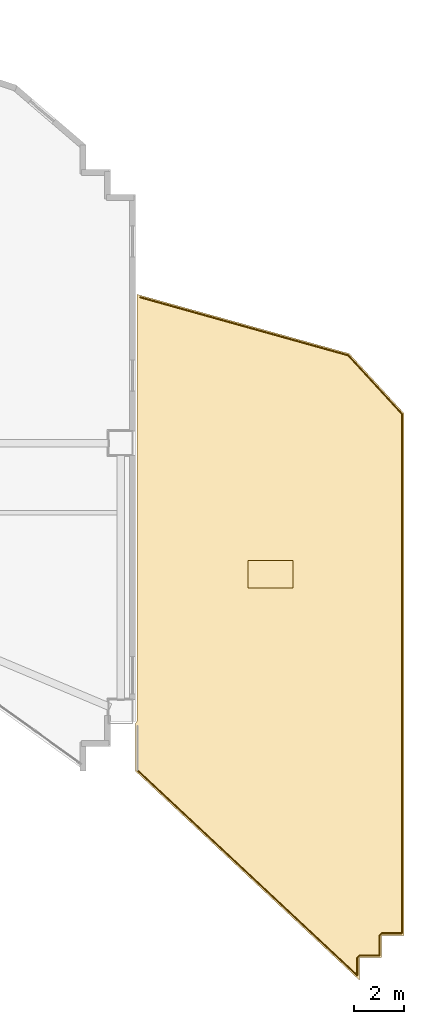
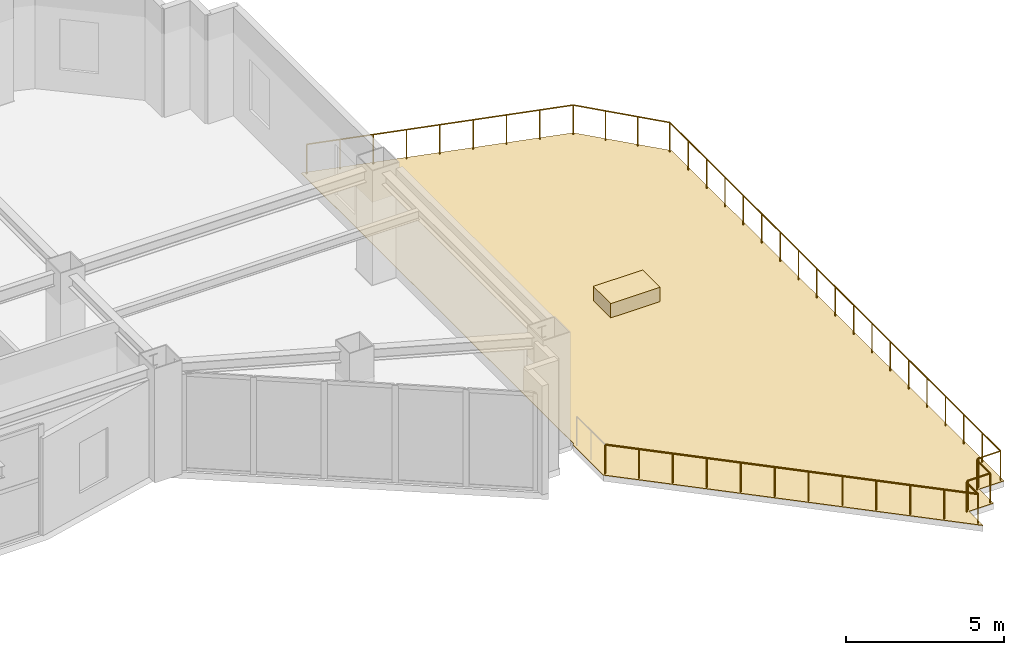
# One storey, part 19 of 19: 2 coverings, 1 railing.
"""IFC4 building model written with IfcOpenShell, lengths in metres."""

from ifc_helpers import new_model, si_unit, direction, frame, origin, origin_2d, place, context, subcontext, project, spatial, polyline, rectangle, circle, outline, extrude, material, layer, layer_set, type_object, element, save


model = new_model("IFC4")

# Units and contexts
model_context = context("Model", 3, precision=1e-05, world=origin(), true_north=direction((0.0, 1.0)))
body_context = subcontext(model_context, "Body", "Model", "MODEL_VIEW")
ifc_project = project(units=[si_unit("LENGTHUNIT", "METRE"), si_unit("AREAUNIT", "SQUARE_METRE"), si_unit("VOLUMEUNIT", "CUBIC_METRE"), si_unit("PLANEANGLEUNIT", "RADIAN"), si_unit("MASSUNIT", "GRAM", prefix="KILO")], contexts=[model_context])

# Site, building, storey
site_placement = place(None, origin())
site = spatial("IfcSite", under=ifc_project, at=site_placement, CompositionType="ELEMENT")
building_placement = place(site_placement, origin())
building = spatial("IfcBuilding", under=site, at=building_placement, Name="Haolan Belvedere Tower", CompositionType="ELEMENT")
storey_placement = place(building_placement, frame((0.0, 0.0, 94.0)))
storey = spatial("IfcBuildingStorey", under=building, at=storey_placement, Name="L23", CompositionType="ELEMENT", Elevation=94.0)

# Coverings
ifc_material_1 = material(Name="Engineered lightweight planted garden soil substrate", Category="masonry")
ifc_layer_1 = layer(ifc_material_1, 0.550048828125, Name="Engineered lightweight planted garden soil substrate")
ifc_layer_set_1 = layer_set([ifc_layer_1], Name="Engineered lightweight planted garden soil substrate")
covering_type_1 = type_object("IfcCoveringType", Name="COV-PLANT-550", PredefinedType="MEMBRANE", material=ifc_layer_set_1)
covering_1_placement = place(storey_placement, frame((70.22509765625, 22.327880859375, 0.0), z_axis=(0.0, 0.0, 1.0), x_axis=(1.0, 0.0, 0.0)))
element("IfcCovering", 1, at=covering_1_placement, inside=storey, type_object=covering_type_1, Name="L23 cascade garden terrace PLANTER bed 2", PredefinedType="MEMBRANE", context=body_context, shape_type="SweptSolid", body=[
    extrude(rectangle(XDim=1.800048828125, YDim=1.10009765625, at=origin_2d()), origin(), (0.0, 0.0, 1.0), 0.550048828125),
])
ifc_material_2 = material(Name="Elastomeric waterproof roofing membrane and stone pavers", Category="masonry")
ifc_layer_2 = layer(ifc_material_2, 0.02001953125, Name="Elastomeric waterproof roofing membrane and stone pavers")
ifc_layer_set_2 = layer_set([ifc_layer_2], Name="Elastomeric waterproof roofing membrane and stone pavers")
covering_type_2 = type_object("IfcCoveringType", Name="COV-ROOF-20", PredefinedType="ROOFING", material=ifc_layer_set_2)
covering_2_placement = place(storey_placement, frame((0.0, 0.0, -0.02001953125)))
element("IfcCovering", 2, at=covering_2_placement, inside=storey, type_object=covering_type_2, Name="L23 garden terrace waterproof roofing paver 2", PredefinedType="ROOFING", context=body_context, shape_type="SweptSolid", body=[
    extrude(outline(polyline([(64.800048828125, 14.39990234375), (73.800048828125, 6.0), (73.800048828125, 6.896240234375), (73.80029296875, 6.89990234375), (73.8037109375, 6.89990234375), (74.699951171875, 6.89990234375), (74.699951171875, 7.79638671875), (74.7001953125, 7.7998046875), (74.70361328125, 7.800048828125), (75.60009765625, 7.800048828125), (75.60009765625, 28.800048828125), (73.39990234375, 31.199951171875), (64.85009765625, 33.5859375), (64.85009765625, 16.40185546875), (64.849853515625, 16.398681640625), (64.849365234375, 16.392578125), (64.848388671875, 16.387939453125), (64.846923828125, 16.38330078125), (64.84521484375, 16.378662109375), (64.8427734375, 16.37451171875), (64.840087890625, 16.370361328125), (64.800048828125, 16.321533203125), (64.800048828125, 14.39990234375)])), origin(), (0.0, 0.0, 1.0), 0.02001953125),
])

# Railing
ifc_material_3 = material(Name="Anodised aluminium and laminated glass balustrade", Category="aluminium")
railing_type = type_object("IfcRailingType", Name="RL-TER-BAL-1150", PredefinedType="BALUSTRADE", material=ifc_material_3)
railing_placement = place(storey_placement, frame((64.97998046875, 33.466796875, 0.0)))
element("IfcRailing", 3, at=railing_placement, inside=storey, type_object=railing_type, Name="L23 outdoor perimeter balustrade TERR-L23-2-2", PredefinedType="BALUSTRADE", context=body_context, shape_type="SweptSolid", body=[
    extrude(circle(Radius=0.02392578125, at=origin_2d()), frame((0.0, 0.0, 1.1259765625), z_axis=(0.963195456171, -0.268801996294, 0.0), x_axis=(0.268801996294, 0.963195456171, 0.0)), (0.0, 0.0, 1.0), 8.696533203125),
    extrude(circle(Radius=0.02392578125, at=origin_2d()), frame((8.37646484375, -2.337646484375, 1.1259765625), z_axis=(0.675710817419, -0.737166800136, 0.0), x_axis=(0.737166800136, 0.675710817419, 0.0)), (0.0, 0.0, 1.0), 3.201904296875),
    extrude(circle(Radius=0.02392578125, at=origin_2d()), frame((10.5400390625, -4.697998046875, 1.1259765625), z_axis=(0.0, -1.0, 0.0), x_axis=(1.0, 0.0, 0.0)), (0.0, 0.0, 1.0), 20.888916015625),
    extrude(circle(Radius=0.02392578125, at=origin_2d()), frame((10.5400390625, -25.5869140625, 1.1259765625), z_axis=(-1.0, 0.0, 0.0), x_axis=(0.0, -1.0, 0.0)), (0.0, 0.0, 1.0), 0.818603515625),
    extrude(circle(Radius=0.02392578125, at=origin_2d()), frame((9.721435546875, -25.5869140625, 1.1259765625), z_axis=(-0.707106781187, -0.707106781187, 0.0), x_axis=(0.707106781187, -0.707106781187, 0.0)), (0.0, 0.0, 1.0), 0.114990234375),
    extrude(circle(Radius=0.02392578125, at=origin_2d()), frame((9.64013671875, -25.668212890625, 1.1259765625), z_axis=(0.0, -1.0, 0.0), x_axis=(1.0, 0.0, 0.0)), (0.0, 0.0, 1.0), 0.818603515625),
    extrude(circle(Radius=0.02392578125, at=origin_2d()), frame((9.64013671875, -26.48681640625, 1.1259765625), z_axis=(-1.0, 0.0, 0.0), x_axis=(0.0, -1.0, 0.0)), (0.0, 0.0, 1.0), 0.818603515625),
    extrude(circle(Radius=0.02392578125, at=origin_2d()), frame((8.821533203125, -26.48681640625, 1.1259765625), z_axis=(-0.708166115403, -0.706045857572, 0.0), x_axis=(0.706045857572, -0.708166115403, 0.0)), (0.0, 0.0, 1.0), 0.115234375),
    extrude(circle(Radius=0.02392578125, at=origin_2d()), frame((8.739990234375, -26.568115234375, 1.1259765625), z_axis=(0.0, -1.0, 0.0), x_axis=(1.0, 0.0, 0.0)), (0.0, 0.0, 1.0), 0.714599609375),
    extrude(circle(Radius=0.02392578125, at=origin_2d()), frame((8.739990234375, -27.28271484375, 1.1259765625), z_axis=(-0.73105593964, 0.682317531005, 0.0), x_axis=(-0.682317531005, -0.73105593964, 0.0)), (0.0, 0.0, 1.0), 12.09228515625),
    extrude(circle(Radius=0.02099609375, at=origin_2d()), origin(), (0.0, 0.0, 1.0), 1.101806640625),
    extrude(circle(Radius=0.02099609375, at=origin_2d()), frame((1.047119140625, -0.292236328125, 0.0)), (0.0, 0.0, 1.0), 1.101806640625),
    extrude(circle(Radius=0.02099609375, at=origin_2d()), frame((2.09423828125, -0.58447265625, 0.0)), (0.0, 0.0, 1.0), 1.101806640625),
    extrude(circle(Radius=0.02099609375, at=origin_2d()), frame((3.14111328125, -0.876708984375, 0.0)), (0.0, 0.0, 1.0), 1.101806640625),
    extrude(circle(Radius=0.02099609375, at=origin_2d()), frame((4.188232421875, -1.1689453125, 0.0)), (0.0, 0.0, 1.0), 1.101806640625),
    extrude(circle(Radius=0.02099609375, at=origin_2d()), frame((5.2353515625, -1.4609375, 0.0)), (0.0, 0.0, 1.0), 1.101806640625),
    extrude(circle(Radius=0.02099609375, at=origin_2d()), frame((6.2822265625, -1.753173828125, 0.0)), (0.0, 0.0, 1.0), 1.101806640625),
    extrude(circle(Radius=0.02099609375, at=origin_2d()), frame((7.329345703125, -2.04541015625, 0.0)), (0.0, 0.0, 1.0), 1.101806640625),
    extrude(circle(Radius=0.02099609375, at=origin_2d()), frame((8.37646484375, -2.337646484375, 0.0)), (0.0, 0.0, 1.0), 1.101806640625),
    extrude(circle(Radius=0.02099609375, at=origin_2d()), frame((9.09765625, -3.12451171875, 0.0)), (0.0, 0.0, 1.0), 1.101806640625),
    extrude(circle(Radius=0.02099609375, at=origin_2d()), frame((9.81884765625, -3.9111328125, 0.0)), (0.0, 0.0, 1.0), 1.101806640625),
    extrude(circle(Radius=0.02099609375, at=origin_2d()), frame((10.5400390625, -4.697998046875, 0.0)), (0.0, 0.0, 1.0), 1.101806640625),
    extrude(circle(Radius=0.02099609375, at=origin_2d()), frame((10.5400390625, -5.8583984375, 0.0)), (0.0, 0.0, 1.0), 1.101806640625),
    extrude(circle(Radius=0.02099609375, at=origin_2d()), frame((10.5400390625, -7.01904296875, 0.0)), (0.0, 0.0, 1.0), 1.101806640625),
    extrude(circle(Radius=0.02099609375, at=origin_2d()), frame((10.5400390625, -8.179443359375, 0.0)), (0.0, 0.0, 1.0), 1.101806640625),
    extrude(circle(Radius=0.02099609375, at=origin_2d()), frame((10.5400390625, -9.340087890625, 0.0)), (0.0, 0.0, 1.0), 1.101806640625),
    extrude(circle(Radius=0.02099609375, at=origin_2d()), frame((10.5400390625, -10.50048828125, 0.0)), (0.0, 0.0, 1.0), 1.101806640625),
    extrude(circle(Radius=0.02099609375, at=origin_2d()), frame((10.5400390625, -11.660888671875, 0.0)), (0.0, 0.0, 1.0), 1.101806640625),
    extrude(circle(Radius=0.02099609375, at=origin_2d()), frame((10.5400390625, -12.821533203125, 0.0)), (0.0, 0.0, 1.0), 1.101806640625),
    extrude(circle(Radius=0.02099609375, at=origin_2d()), frame((10.5400390625, -13.98193359375, 0.0)), (0.0, 0.0, 1.0), 1.101806640625),
    extrude(circle(Radius=0.02099609375, at=origin_2d()), frame((10.5400390625, -15.142578125, 0.0)), (0.0, 0.0, 1.0), 1.101806640625),
    extrude(circle(Radius=0.02099609375, at=origin_2d()), frame((10.5400390625, -16.302978515625, 0.0)), (0.0, 0.0, 1.0), 1.101806640625),
    extrude(circle(Radius=0.02099609375, at=origin_2d()), frame((10.5400390625, -17.46337890625, 0.0)), (0.0, 0.0, 1.0), 1.101806640625),
    extrude(circle(Radius=0.02099609375, at=origin_2d()), frame((10.5400390625, -18.6240234375, 0.0)), (0.0, 0.0, 1.0), 1.101806640625),
    extrude(circle(Radius=0.02099609375, at=origin_2d()), frame((10.5400390625, -19.784423828125, 0.0)), (0.0, 0.0, 1.0), 1.101806640625),
    extrude(circle(Radius=0.02099609375, at=origin_2d()), frame((10.5400390625, -20.94482421875, 0.0)), (0.0, 0.0, 1.0), 1.101806640625),
    extrude(circle(Radius=0.02099609375, at=origin_2d()), frame((10.5400390625, -22.10546875, 0.0)), (0.0, 0.0, 1.0), 1.101806640625),
    extrude(circle(Radius=0.02099609375, at=origin_2d()), frame((10.5400390625, -23.265869140625, 0.0)), (0.0, 0.0, 1.0), 1.101806640625),
    extrude(circle(Radius=0.02099609375, at=origin_2d()), frame((10.5400390625, -24.426513671875, 0.0)), (0.0, 0.0, 1.0), 1.101806640625),
    extrude(circle(Radius=0.02099609375, at=origin_2d()), frame((10.5400390625, -25.5869140625, 0.0)), (0.0, 0.0, 1.0), 1.101806640625),
    extrude(circle(Radius=0.02099609375, at=origin_2d()), frame((9.721435546875, -25.5869140625, 0.0)), (0.0, 0.0, 1.0), 1.101806640625),
    extrude(circle(Radius=0.02099609375, at=origin_2d()), frame((9.64013671875, -25.668212890625, 0.0)), (0.0, 0.0, 1.0), 1.101806640625),
    extrude(circle(Radius=0.02099609375, at=origin_2d()), frame((9.64013671875, -26.48681640625, 0.0)), (0.0, 0.0, 1.0), 1.101806640625),
    extrude(circle(Radius=0.02099609375, at=origin_2d()), frame((8.821533203125, -26.48681640625, 0.0)), (0.0, 0.0, 1.0), 1.101806640625),
    extrude(circle(Radius=0.02099609375, at=origin_2d()), frame((8.739990234375, -26.568115234375, 0.0)), (0.0, 0.0, 1.0), 1.101806640625),
    extrude(circle(Radius=0.02099609375, at=origin_2d()), frame((8.739990234375, -27.28271484375, 0.0)), (0.0, 0.0, 1.0), 1.101806640625),
    extrude(circle(Radius=0.02099609375, at=origin_2d()), frame((7.936279296875, -26.53271484375, 0.0)), (0.0, 0.0, 1.0), 1.101806640625),
    extrude(circle(Radius=0.02099609375, at=origin_2d()), frame((7.1328125, -25.782470703125, 0.0)), (0.0, 0.0, 1.0), 1.101806640625),
    extrude(circle(Radius=0.02099609375, at=origin_2d()), frame((6.3291015625, -25.032470703125, 0.0)), (0.0, 0.0, 1.0), 1.101806640625),
    extrude(circle(Radius=0.02099609375, at=origin_2d()), frame((5.525390625, -24.282470703125, 0.0)), (0.0, 0.0, 1.0), 1.101806640625),
    extrude(circle(Radius=0.02099609375, at=origin_2d()), frame((4.7216796875, -23.532470703125, 0.0)), (0.0, 0.0, 1.0), 1.101806640625),
    extrude(circle(Radius=0.02099609375, at=origin_2d()), frame((3.918212890625, -22.7822265625, 0.0)), (0.0, 0.0, 1.0), 1.101806640625),
    extrude(circle(Radius=0.02099609375, at=origin_2d()), frame((3.114501953125, -22.0322265625, 0.0)), (0.0, 0.0, 1.0), 1.101806640625),
    extrude(circle(Radius=0.02099609375, at=origin_2d()), frame((2.310791015625, -21.2822265625, 0.0)), (0.0, 0.0, 1.0), 1.101806640625),
    extrude(circle(Radius=0.02099609375, at=origin_2d()), frame((1.507080078125, -20.5322265625, 0.0)), (0.0, 0.0, 1.0), 1.101806640625),
    extrude(circle(Radius=0.02099609375, at=origin_2d()), frame((0.70361328125, -19.781982421875, 0.0)), (0.0, 0.0, 1.0), 1.101806640625),
    extrude(circle(Radius=0.02099609375, at=origin_2d()), frame((-0.10009765625, -19.031982421875, 0.0)), (0.0, 0.0, 1.0), 1.101806640625),
])

save(model, "model.ifc")
